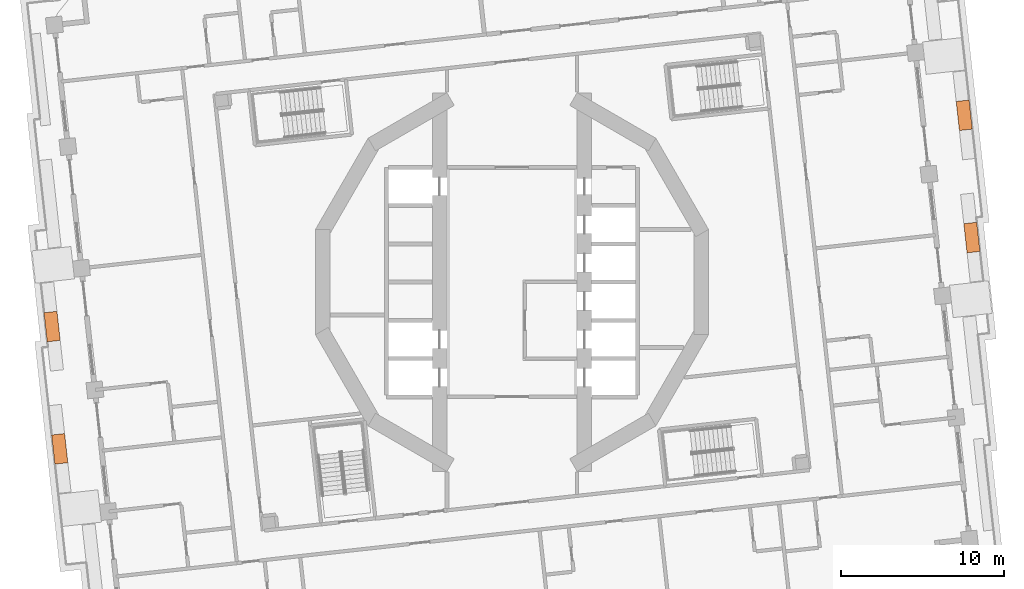
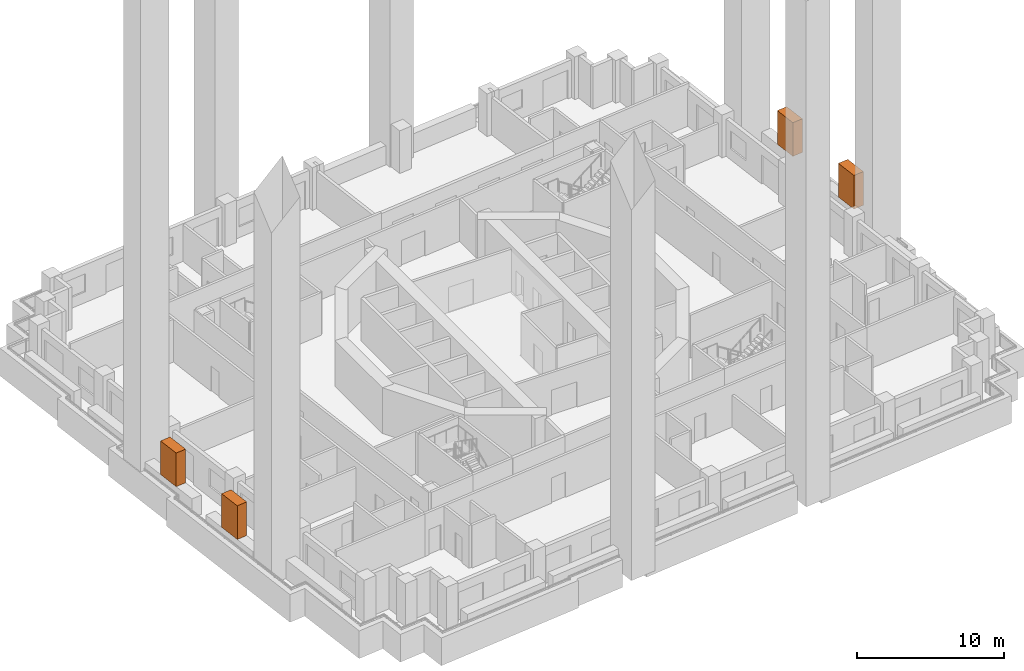
# One storey, part 20 of 20: 4 proxies.
"""IFC4 building model written with IfcOpenShell, lengths in metres."""

from ifc_helpers import new_model, si_unit, direction, frame, origin, origin_2d, place, context, subcontext, project, spatial, rectangle, extrude, element, save


model = new_model("IFC4")

# Units and contexts
model_context = context("Model", 3, precision=1e-05, world=origin(), true_north=direction((0.0, 1.0)))
body_context = subcontext(model_context, "Body", "Model", "MODEL_VIEW")
ifc_project = project(units=[si_unit("LENGTHUNIT", "METRE"), si_unit("AREAUNIT", "SQUARE_METRE"), si_unit("VOLUMEUNIT", "CUBIC_METRE"), si_unit("PLANEANGLEUNIT", "RADIAN"), si_unit("MASSUNIT", "GRAM", prefix="KILO")], contexts=[model_context])

# Site, building, storey
site_placement = place(None, origin())
site = spatial("IfcSite", under=ifc_project, at=site_placement, CompositionType="ELEMENT")
building_placement = place(site_placement, origin())
building = spatial("IfcBuilding", under=site, at=building_placement, Name="Cantera Rosa Tower", CompositionType="ELEMENT")
storey_placement = place(building_placement, frame((0.0, 0.0, 42.5)))
storey = spatial("IfcBuildingStorey", under=building, at=storey_placement, Name="L07", CompositionType="ELEMENT", Elevation=42.5)

# Proxies
for number, where, z_axis, x_axis, name in (
    (1, (28.25830078125, 2.73388671875, 1.60009765625), (0.0, 0.0, 1.0), (-0.110312555526, 0.993896946415, 0.0), "TREE L07-03"),
    (2, (27.78857421875, 10.248046875, 1.60009765625), (0.0, 0.0, 1.0), (-0.110312555526, 0.993896946415, 0.0), "TREE L07-04"),
    (3, (-28.25830078125, -2.73388671875, 1.60009765625), (0.0, 0.0, 1.0), (0.110312555526, -0.993896946415, 0.0), "TREE L07-14"),
    (4, (-27.78857421875, -10.248046875, 1.60009765625), (0.0, 0.0, 1.0), (0.110312555526, -0.993896946415, 0.0), "TREE L07-15"),
):
    element("IfcBuildingElementProxy", number, at=place(storey_placement, frame(where, z_axis=z_axis, x_axis=x_axis)), inside=storey, Name=name, ObjectType="TREE", PredefinedType="USERDEFINED", context=body_context, shape_type="SweptSolid", body=[
        extrude(rectangle(XDim=1.800048828125, YDim=0.800048828125, at=origin_2d()), origin(), (0.0, 0.0, 1.0), 2.800048828125),
    ])

save(model, "model.ifc")
